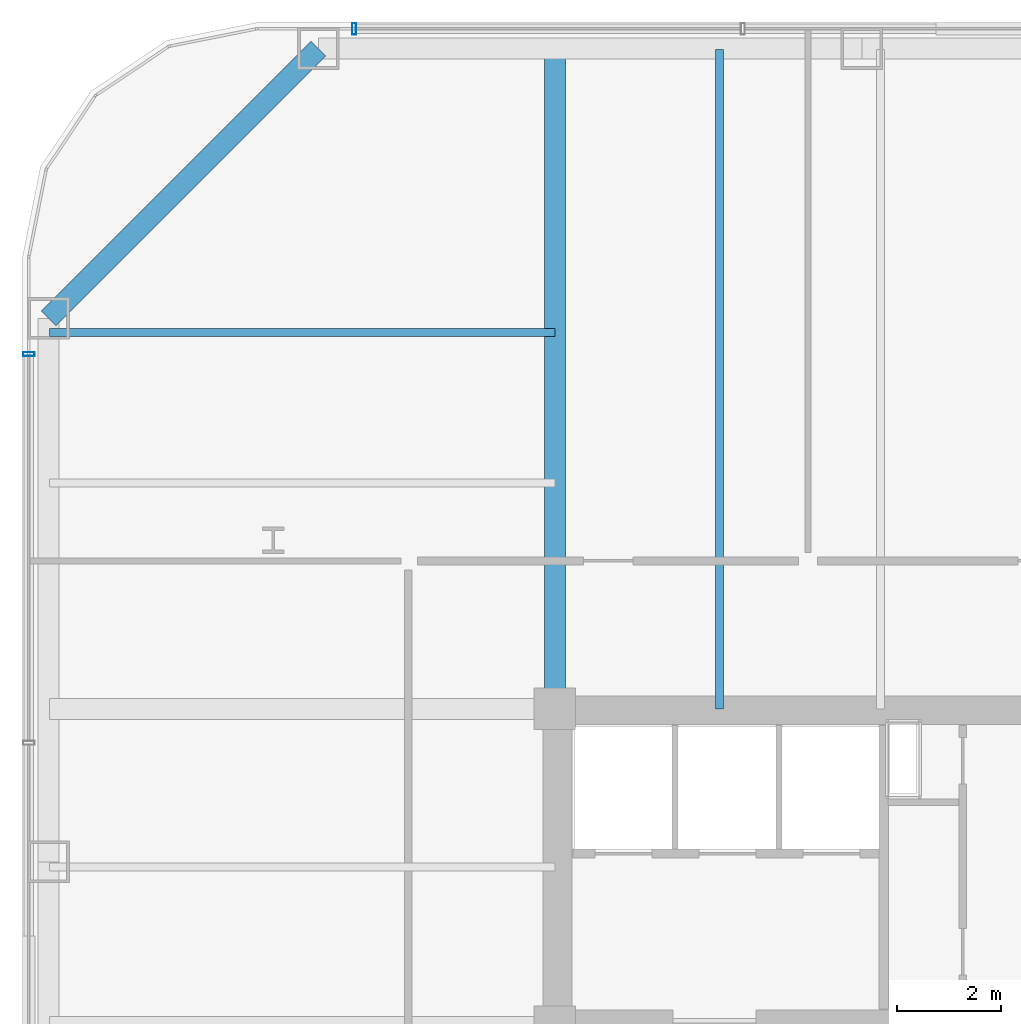
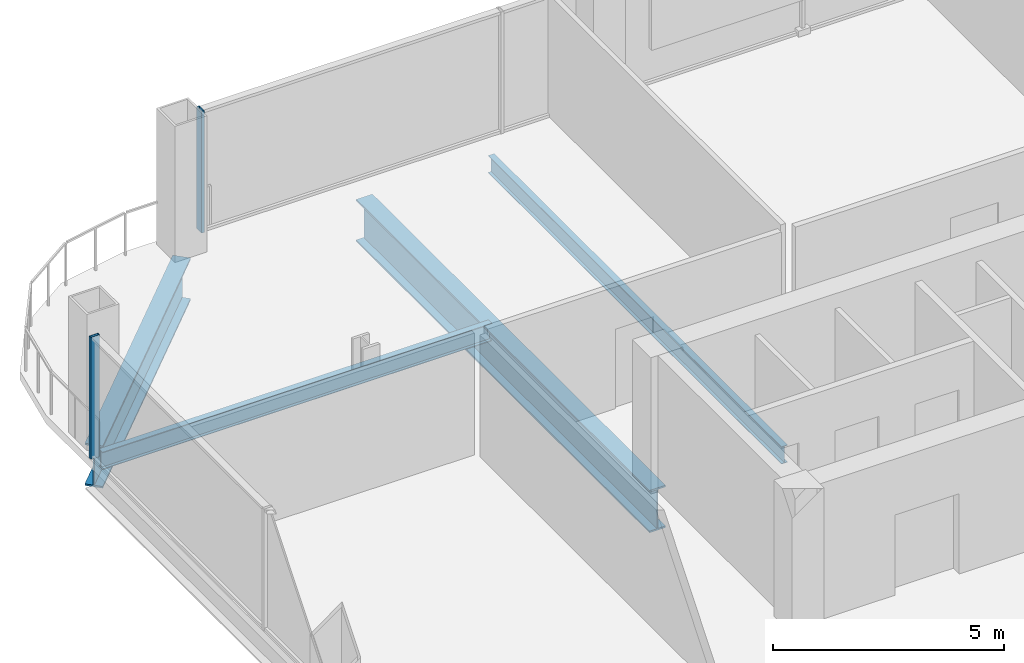
# One storey, part 14 of 24: 4 beams, 2 members, 2 elements without a shape of their own.
"""IFC4 building model written with IfcOpenShell, lengths in metres."""

from ifc_helpers import new_model, si_unit, direction, frame, origin, origin_2d, place, context, subcontext, project, spatial, hollow_rectangle, i_section, extrude, material, layer, layer_set, material_profile, profile_set, type_object, element, aggregate, save


model = new_model("IFC4")

# Units and contexts
model_context = context("Model", 3, precision=1e-05, world=origin(), true_north=direction((0.0, 1.0)))
body_context = subcontext(model_context, "Body", "Model", "MODEL_VIEW")
ifc_project = project(units=[si_unit("LENGTHUNIT", "METRE"), si_unit("AREAUNIT", "SQUARE_METRE"), si_unit("VOLUMEUNIT", "CUBIC_METRE"), si_unit("PLANEANGLEUNIT", "RADIAN"), si_unit("MASSUNIT", "GRAM", prefix="KILO")], contexts=[model_context])

# Site, building, storey
site_placement = place(None, origin())
site = spatial("IfcSite", under=ifc_project, at=site_placement, CompositionType="ELEMENT")
building_placement = place(site_placement, origin())
building = spatial("IfcBuilding", under=site, at=building_placement, Name="Qhalaya Broadcast Tower", CompositionType="ELEMENT")
storey_placement = place(building_placement, frame((0.0, 0.0, 61.5)))
storey = spatial("IfcBuildingStorey", under=building, at=storey_placement, Name="L17", CompositionType="ELEMENT", Elevation=61.5)

# Beams
ifc_material_1 = material(Name="Structural Steel ASTM A992 Grade 50", Category="steel")
ifc_material_profile_1 = material_profile(ifc_material_1, i_section(OverallWidth=0.154052734375, OverallDepth=0.458984375, WebThickness=0.009033203125, FlangeThickness=0.015380859375, at=origin_2d()), Name="W18X46")
ifc_profile_set_1 = profile_set([ifc_material_profile_1], Name="Structural Steel ASTM A992 Grade 50")
beam_type_1 = type_object("IfcBeamType", Name="Composite Floor Joist J04", PredefinedType="JOIST", material=ifc_profile_set_1)
beam_1_placement = place(storey_placement, frame((-6.199951171875, 9.949951171875, -0.449462890625), z_axis=(0.0, 1.0, 0.0), x_axis=(-1.0, 0.0, 0.0)))
element("IfcBeam", 1, at=beam_1_placement, inside=storey, type_object=beam_type_1, Name="L17 J04 L17-JNN1-1", PredefinedType="JOIST", context=body_context, shape_type="SweptSolid", body=[
    extrude(i_section(OverallWidth=0.154052734375, OverallDepth=0.458984375, WebThickness=0.009033203125, FlangeThickness=0.015380859375, at=origin_2d()), origin(), (0.0, 0.0, 1.0), 12.699951171875),
])
beam_2_placement = place(storey_placement, frame((-19.110107421875, 17.199951171875, -0.449462890625), z_axis=(1.0, 0.0, 0.0), x_axis=(0.0, 1.0, 0.0)))
element("IfcBeam", 2, at=beam_2_placement, inside=storey, type_object=beam_type_1, Name="L17 J04 L17-JWE7W-1", PredefinedType="JOIST", context=body_context, shape_type="SweptSolid", body=[
    extrude(i_section(OverallWidth=0.154052734375, OverallDepth=0.458984375, WebThickness=0.009033203125, FlangeThickness=0.015380859375, at=origin_2d()), origin(), (0.0, 0.0, 1.0), 9.735107421875),
])
ifc_material_profile_2 = material_profile(ifc_material_1, i_section(OverallWidth=0.404052734375, OverallDepth=1.117919921875, WebThickness=0.026123046875, FlangeThickness=0.044921875, at=origin_2d()), Name="W44X335")
ifc_profile_set_2 = profile_set([ifc_material_profile_2], Name="Structural Steel ASTM A992 Grade 50")
beam_type_2 = type_object("IfcBeamType", Name="Podium Long-Span Primary Girder PG1", PredefinedType="USERDEFINED", material=ifc_profile_set_2)
beam_3_placement = place(storey_placement, frame((-13.929931640625, 22.669921875, -0.779052734375), z_axis=(-0.707106781187, -0.707106781187, 0.0), x_axis=(0.707106781187, -0.707106781187, 0.0)))
element("IfcBeam", 3, at=beam_3_placement, inside=storey, type_object=beam_type_2, Name="L17 PG1 L17-SPR-12", ObjectType="GIRDER", PredefinedType="USERDEFINED", context=body_context, shape_type="SweptSolid", body=[
    extrude(i_section(OverallWidth=0.404052734375, OverallDepth=1.117919921875, WebThickness=0.026123046875, FlangeThickness=0.044921875, at=origin_2d()), origin(), (0.0, 0.0, 1.0), 7.353759765625),
])
beam_4_placement = place(storey_placement, frame((-9.375, 9.949951171875, -0.779052734375), z_axis=(0.0, 1.0, 0.0), x_axis=(-1.0, 0.0, 0.0)))
element("IfcBeam", 4, at=beam_4_placement, inside=storey, type_object=beam_type_2, Name="L17 PG1 L17-PGXN1-1", ObjectType="GIRDER", PredefinedType="USERDEFINED", context=body_context, shape_type="SweptSolid", body=[
    extrude(i_section(OverallWidth=0.404052734375, OverallDepth=1.117919921875, WebThickness=0.026123046875, FlangeThickness=0.044921875, at=origin_2d()), origin(), (0.0, 0.0, 1.0), 12.699951171875),
])

# Curtain wall, member
ifc_material_2 = material(Name="Solar-Control Low-E Triple Glazing", Category="glass")
ifc_layer = layer(ifc_material_2, 0.219970703125, Name="Solar-Control Low-E Triple Glazing")
ifc_layer_set = layer_set([ifc_layer], Name="Solar-Control Low-E Triple Glazing")
curtain_wall_type = type_object("IfcCurtainWallType", Name="Recessed Sky-Garden Neck Ribbon Curtain Wall CW-05", PredefinedType="NOTDEFINED", material=ifc_layer_set)
curtain_wall_1_placement = place(storey_placement, origin())
curtain_wall_1 = element("IfcCurtainWall", 5, at=curtain_wall_1_placement, inside=storey, type_object=curtain_wall_type, Name="L17 Unitised Curtain Wall L17-CW-N", PredefinedType="NOTDEFINED")
ifc_material_3 = material(Name="Anodised Aluminium 6063-T6", Category="aluminium")
ifc_material_profile_3 = material_profile(ifc_material_3, hollow_rectangle(XDim=0.074951171875, YDim=0.219970703125, WallThickness=0.00390625, at=origin_2d()), Name="ALU-MUL 75x220x4")
ifc_profile_set_3 = profile_set([ifc_material_profile_3], Name="Anodised Aluminium 6063-T6")
member_type = type_object("IfcMemberType", Name="Unitised Curtain-Wall Mullion M01", PredefinedType="MULLION", material=ifc_profile_set_3)
member_1_placement = place(storey_placement, frame((-13.242431640625, 23.050048828125, 0.0), z_axis=(0.0, 0.0, 1.0), x_axis=(-1.0, 0.0, 0.0)))
member_1 = element("IfcMember", 6, at=member_1_placement, type_object=member_type, Name="CW-05 mullion 5", PredefinedType="MULLION", context=body_context, shape_type="SweptSolid", body=[
    extrude(hollow_rectangle(XDim=0.074951171875, YDim=0.219970703125, WallThickness=0.00390625, at=origin_2d()), origin(), (0.0, 0.0, 1.0), 3.219970703125),
])
aggregate(curtain_wall_1, [member_1])

curtain_wall_2_placement = place(storey_placement, origin())
curtain_wall_2 = element("IfcCurtainWall", 7, at=curtain_wall_2_placement, inside=storey, type_object=curtain_wall_type, Name="L17 Unitised Curtain Wall L17-CW-W", PredefinedType="NOTDEFINED")
member_2_placement = place(storey_placement, frame((-19.510009765625, 16.782470703125, 0.0), z_axis=(0.0, 0.0, 1.0), x_axis=(0.0, -1.0, 0.0)))
member_2 = element("IfcMember", 8, at=member_2_placement, type_object=member_type, Name="CW-05 mullion 1", PredefinedType="MULLION", context=body_context, shape_type="SweptSolid", body=[
    extrude(hollow_rectangle(XDim=0.074951171875, YDim=0.219970703125, WallThickness=0.00390625, at=origin_2d()), origin(), (0.0, 0.0, 1.0), 3.219970703125),
])
aggregate(curtain_wall_2, [member_2])

save(model, "model.ifc")
